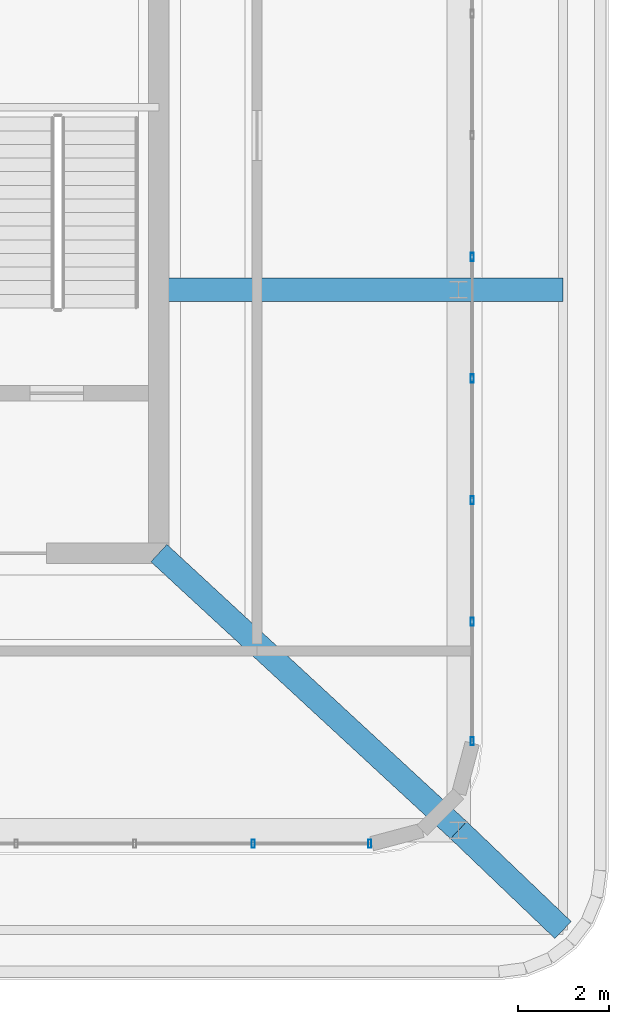
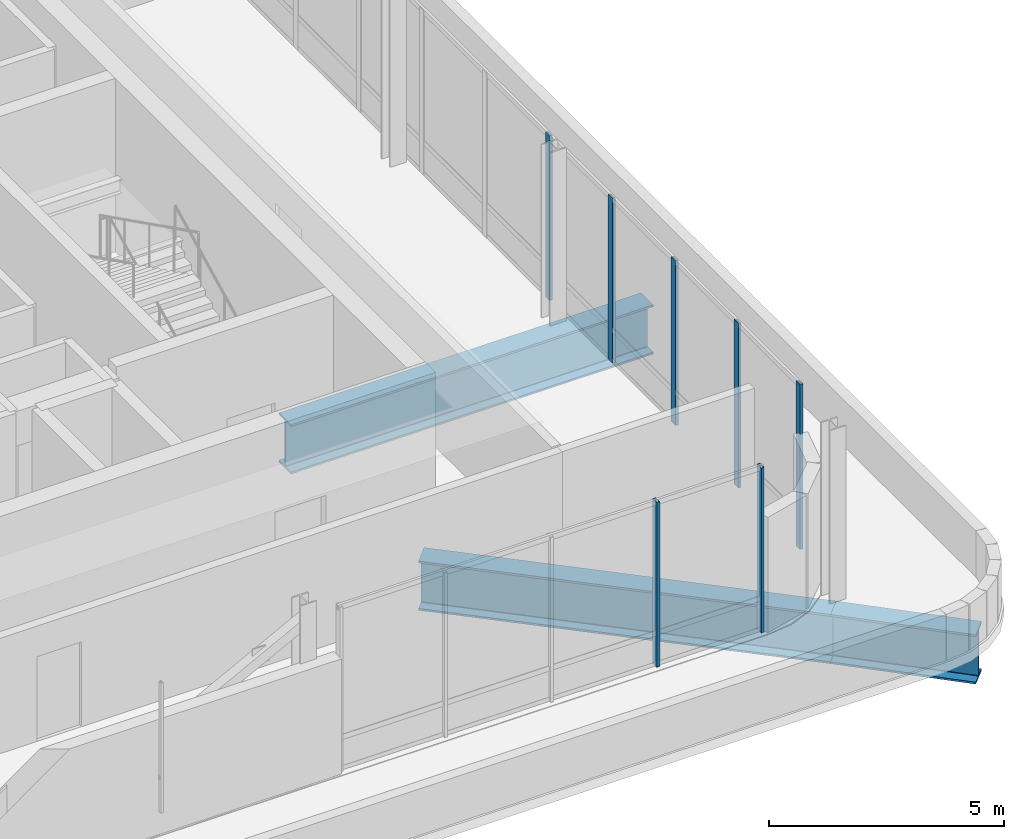
# One storey, part 12 of 28: 7 members, 3 beams, 2 elements without a shape of their own.
"""IFC4 building model written with IfcOpenShell, lengths in metres."""

from ifc_helpers import new_model, si_unit, direction, frame, origin, origin_2d, place, context, subcontext, project, spatial, hollow_rectangle, i_section, extrude, material, material_profile, profile_set, type_object, element, aggregate, save


model = new_model("IFC4")

# Units and contexts
model_context = context("Model", 3, precision=1e-05, world=origin(), true_north=direction((0.0, 1.0)))
body_context = subcontext(model_context, "Body", "Model", "MODEL_VIEW")
ifc_project = project(units=[si_unit("LENGTHUNIT", "METRE"), si_unit("AREAUNIT", "SQUARE_METRE"), si_unit("VOLUMEUNIT", "CUBIC_METRE"), si_unit("PLANEANGLEUNIT", "RADIAN"), si_unit("MASSUNIT", "GRAM", prefix="KILO")], contexts=[model_context])

# Site, building, storey
site_placement = place(None, origin())
site = spatial("IfcSite", under=ifc_project, at=site_placement, CompositionType="ELEMENT")
building_placement = place(site_placement, origin())
building = spatial("IfcBuilding", under=site, at=building_placement, Name="Punatoya Terracotta Tower", CompositionType="ELEMENT")
storey_placement = place(building_placement, frame((0.0, 0.0, 352.800048828125)))
storey = spatial("IfcBuildingStorey", under=building, at=storey_placement, Name="L83", CompositionType="ELEMENT", Elevation=352.800048828125)

# Beams
ifc_material_1 = material(Name="Steel S460", Category="steel")
ifc_material_profile_1 = material_profile(ifc_material_1, i_section(OverallWidth=0.52001953125, OverallDepth=1.280029296875, WebThickness=0.031982421875, FlangeThickness=0.050048828125, FilletRadius=0.01806640625, at=origin_2d()))
ifc_profile_set_1 = profile_set([ifc_material_profile_1], Name="Steel S460")
beam_type = type_object("IfcBeamType", Name="BM-TG-NCK", PredefinedType="BEAM", material=ifc_profile_set_1)
beam_1_placement = place(storey_placement, frame((10.199951171875, -3.39990234375, -0.920166015625), z_axis=(1.0, 0.0, 0.0), x_axis=(0.0, 1.0, 0.0)))
element("IfcBeam", 1, at=beam_1_placement, inside=storey, type_object=beam_type, Name="BM-L83-CE1", PredefinedType="BEAM", context=body_context, shape_type="SweptSolid", body=[
    extrude(i_section(OverallWidth=0.52001953125, OverallDepth=1.280029296875, WebThickness=0.031982421875, FlangeThickness=0.050048828125, FilletRadius=0.01806640625, at=origin_2d()), origin(), (0.0, 0.0, 1.0), 8.900146484375),
])
beam_2_placement = place(storey_placement, frame((19.10009765625, -17.5, -0.920166015625), z_axis=(-0.722656850058, 0.691206971221, 0.0), x_axis=(-0.691206971221, -0.722656850058, 0.0)))
element("IfcBeam", 2, at=beam_2_placement, inside=storey, type_object=beam_type, Name="BM-L83-CD2A", PredefinedType="BEAM", context=body_context, shape_type="SweptSolid", body=[
    extrude(i_section(OverallWidth=0.52001953125, OverallDepth=1.280029296875, WebThickness=0.031982421875, FlangeThickness=0.050048828125, FilletRadius=0.01806640625, at=origin_2d()), origin(), (0.0, 0.0, 1.0), 3.182861328125),
])
beam_3_placement = place(storey_placement, frame((16.800048828125, -15.300048828125, -0.920166015625), z_axis=(-0.734376297809, 0.678742552973, 0.0), x_axis=(-0.678742552973, -0.734376297809, 0.0)))
element("IfcBeam", 3, at=beam_3_placement, inside=storey, type_object=beam_type, Name="BM-L83-CD2B", PredefinedType="BEAM", context=body_context, shape_type="SweptSolid", body=[
    extrude(i_section(OverallWidth=0.52001953125, OverallDepth=1.280029296875, WebThickness=0.031982421875, FlangeThickness=0.050048828125, FilletRadius=0.01806640625, at=origin_2d()), origin(), (0.0, 0.0, 1.0), 8.9873046875),
])

# Curtain wall, members
ifc_material_2 = material(Name="Aluminium 6063-T6 + Double Low-E Glass", Category="aluminium")
curtain_wall_type = type_object("IfcCurtainWallType", Name="CW-CRN", PredefinedType="NOTDEFINED", material=ifc_material_2)
curtain_wall_1_placement = place(storey_placement, origin())
curtain_wall_1 = element("IfcCurtainWall", 4, at=curtain_wall_1_placement, inside=storey, type_object=curtain_wall_type, Name="L83 Curtain Wall CW-L83-S01-2", PredefinedType="NOTDEFINED")
ifc_material_3 = material(Name="Aluminium 6063-T6", Category="aluminium")
ifc_material_profile_2 = material_profile(ifc_material_3, hollow_rectangle(XDim=0.070068359375, YDim=0.179931640625, WallThickness=0.00390625, at=origin_2d()))
ifc_profile_set_2 = profile_set([ifc_material_profile_2], Name="Aluminium 6063-T6")
member_type = type_object("IfcMemberType", Name="CW-MUL-M3", PredefinedType="MULLION", material=ifc_profile_set_2)
member_1_placement = place(storey_placement, frame((12.277587890625, -15.60009765625, 0.0), z_axis=(0.0, 0.0, 1.0), x_axis=(1.0, 0.0, 0.0)))
member_1 = element("IfcMember", 5, at=member_1_placement, type_object=member_type, Name="CW-L83-S01-2 Mullion 03", PredefinedType="MULLION", context=body_context, shape_type="SweptSolid", body=[
    extrude(hollow_rectangle(XDim=0.070068359375, YDim=0.179931640625, WallThickness=0.00390625, at=origin_2d()), origin(), (0.0, 0.0, 1.0), 4.280029296875),
])
member_2_placement = place(storey_placement, frame((14.841796875, -15.60009765625, 0.0), z_axis=(0.0, 0.0, 1.0), x_axis=(1.0, 0.0, 0.0)))
member_2 = element("IfcMember", 6, at=member_2_placement, type_object=member_type, Name="CW-L83-S01-2 Mullion 04", PredefinedType="MULLION", context=body_context, shape_type="SweptSolid", body=[
    extrude(hollow_rectangle(XDim=0.070068359375, YDim=0.179931640625, WallThickness=0.00390625, at=origin_2d()), origin(), (0.0, 0.0, 1.0), 4.280029296875),
])
aggregate(curtain_wall_1, [member_1, member_2])

curtain_wall_2_placement = place(storey_placement, origin())
curtain_wall_2 = element("IfcCurtainWall", 7, at=curtain_wall_2_placement, inside=storey, type_object=curtain_wall_type, Name="L83 Curtain Wall CW-L83-E05-1", PredefinedType="NOTDEFINED")
member_3_placement = place(storey_placement, frame((17.10009765625, -13.341796875, 0.0), z_axis=(0.0, 0.0, 1.0), x_axis=(1.0, 0.0, 0.0)))
member_3 = element("IfcMember", 8, at=member_3_placement, type_object=member_type, Name="CW-L83-E05-1 Mullion 00", PredefinedType="MULLION", context=body_context, shape_type="SweptSolid", body=[
    extrude(hollow_rectangle(XDim=0.070068359375, YDim=0.179931640625, WallThickness=0.00390625, at=origin_2d()), origin(), (0.0, 0.0, 1.0), 4.280029296875),
])
member_4_placement = place(storey_placement, frame((17.10009765625, -10.70947265625, 0.0), z_axis=(0.0, 0.0, 1.0), x_axis=(1.0, 0.0, 0.0)))
member_4 = element("IfcMember", 9, at=member_4_placement, type_object=member_type, Name="CW-L83-E05-1 Mullion 01", PredefinedType="MULLION", context=body_context, shape_type="SweptSolid", body=[
    extrude(hollow_rectangle(XDim=0.070068359375, YDim=0.179931640625, WallThickness=0.00390625, at=origin_2d()), origin(), (0.0, 0.0, 1.0), 4.280029296875),
])
member_5_placement = place(storey_placement, frame((17.10009765625, -8.031982421875, 0.0), z_axis=(0.0, 0.0, 1.0), x_axis=(1.0, 0.0, 0.0)))
member_5 = element("IfcMember", 10, at=member_5_placement, type_object=member_type, Name="CW-L83-E05-1 Mullion 02", PredefinedType="MULLION", context=body_context, shape_type="SweptSolid", body=[
    extrude(hollow_rectangle(XDim=0.070068359375, YDim=0.179931640625, WallThickness=0.00390625, at=origin_2d()), origin(), (0.0, 0.0, 1.0), 4.280029296875),
])
member_6_placement = place(storey_placement, frame((17.10009765625, -5.354736328125, 0.0), z_axis=(0.0, 0.0, 1.0), x_axis=(1.0, 0.0, 0.0)))
member_6 = element("IfcMember", 11, at=member_6_placement, type_object=member_type, Name="CW-L83-E05-1 Mullion 03", PredefinedType="MULLION", context=body_context, shape_type="SweptSolid", body=[
    extrude(hollow_rectangle(XDim=0.070068359375, YDim=0.179931640625, WallThickness=0.00390625, at=origin_2d()), origin(), (0.0, 0.0, 1.0), 4.280029296875),
])
member_7_placement = place(storey_placement, frame((17.10009765625, -2.677490234375, 0.0), z_axis=(0.0, 0.0, 1.0), x_axis=(1.0, 0.0, 0.0)))
member_7 = element("IfcMember", 12, at=member_7_placement, type_object=member_type, Name="CW-L83-E05-1 Mullion 04", PredefinedType="MULLION", context=body_context, shape_type="SweptSolid", body=[
    extrude(hollow_rectangle(XDim=0.070068359375, YDim=0.179931640625, WallThickness=0.00390625, at=origin_2d()), origin(), (0.0, 0.0, 1.0), 4.280029296875),
])
aggregate(curtain_wall_2, [member_3, member_4, member_5, member_6, member_7])

save(model, "model.ifc")
